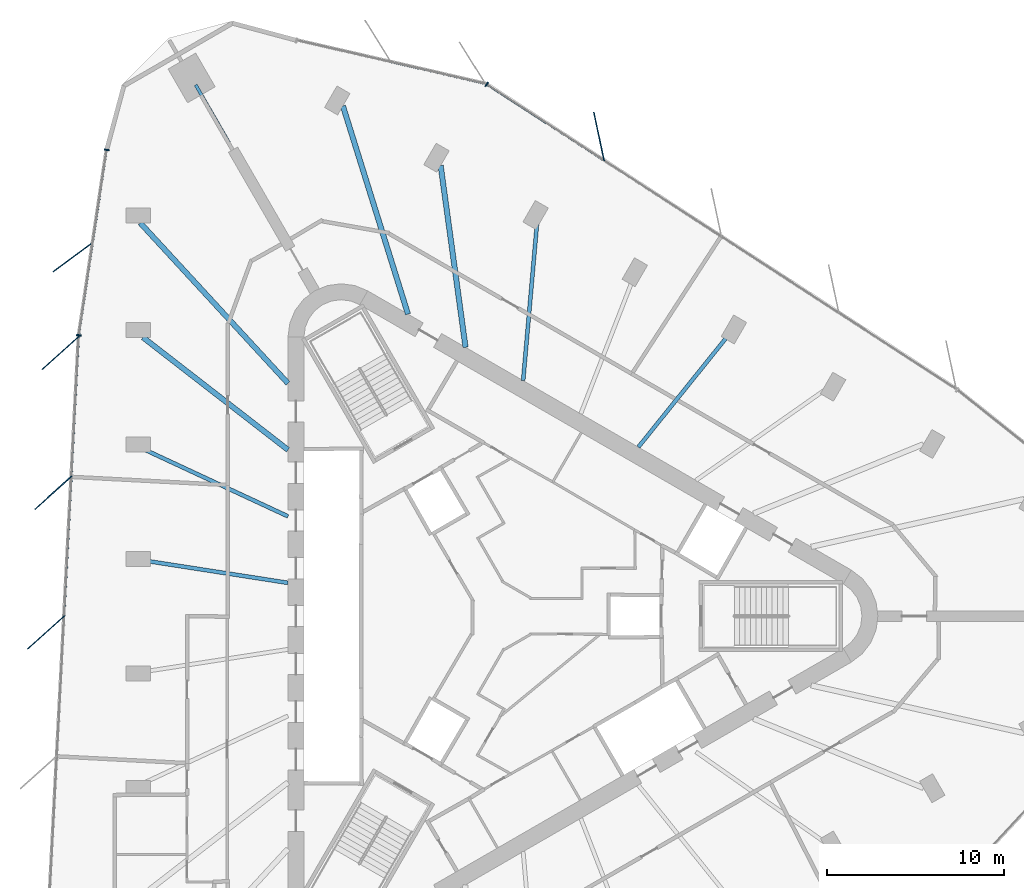
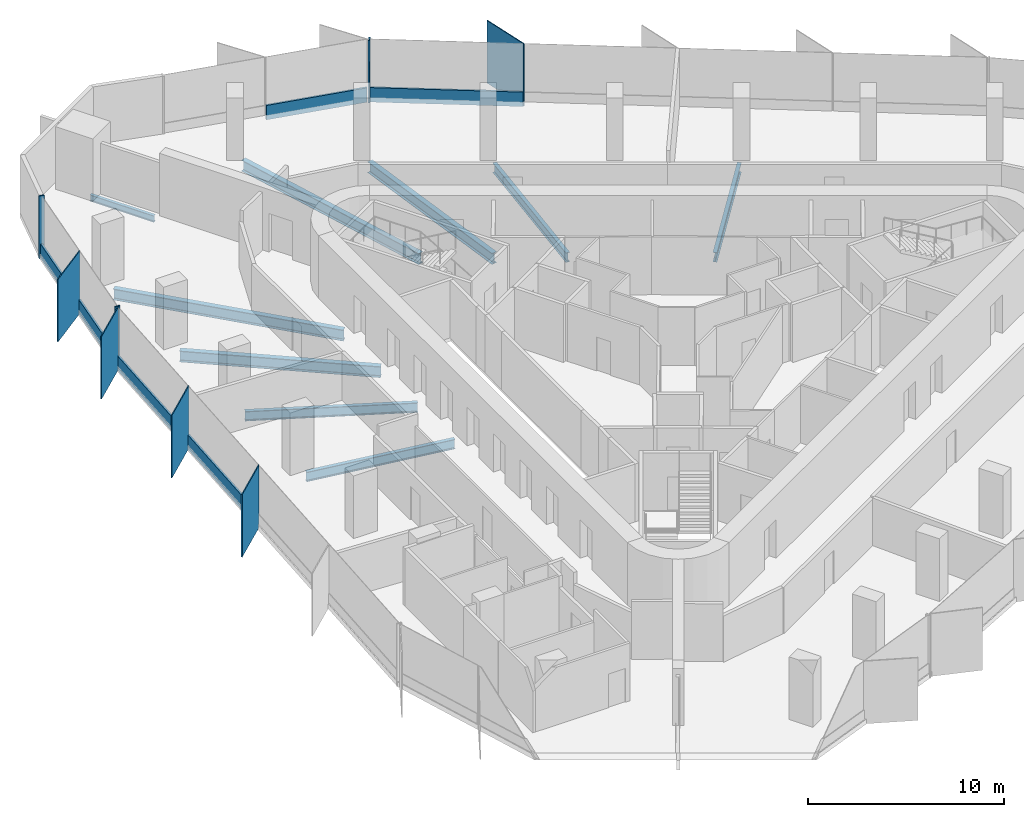
# One storey, part 4 of 13: 14 members, 9 beams, 4 elements without a shape of their own.
"""IFC4 building model written with IfcOpenShell, lengths in metres."""

from ifc_helpers import new_model, si_unit, direction, frame, origin, origin_2d, place, context, subcontext, project, spatial, rectangle, i_section, extrude, material, material_profile, profile_set, type_object, element, aggregate, save


model = new_model("IFC4")

# Units and contexts
model_context = context("Model", 3, precision=1e-05, world=origin(), true_north=direction((0.0, 1.0)))
body_context = subcontext(model_context, "Body", "Model", "MODEL_VIEW")
ifc_project = project(units=[si_unit("LENGTHUNIT", "METRE"), si_unit("AREAUNIT", "SQUARE_METRE"), si_unit("VOLUMEUNIT", "CUBIC_METRE"), si_unit("PLANEANGLEUNIT", "RADIAN"), si_unit("MASSUNIT", "GRAM", prefix="KILO")], contexts=[model_context])

# Site, building, storey
site_placement = place(None, origin())
site = spatial("IfcSite", under=ifc_project, at=site_placement, CompositionType="ELEMENT")
building_placement = place(site_placement, origin())
building = spatial("IfcBuilding", under=site, at=building_placement, Name="Tanit Gate Tower", CompositionType="ELEMENT")
storey_placement = place(building_placement, frame((0.0, 0.0, 310.39990234375)))
storey = spatial("IfcBuildingStorey", under=building, at=storey_placement, Name="L69", CompositionType="ELEMENT", Elevation=310.39990234375)

# Curtain wall, member
ifc_material_1 = material(Name="Aluminium bronze anodised and glass", Category="aluminium")
curtain_wall_type = type_object("IfcCurtainWallType", Name="Curtain wall typical high", PredefinedType="NOTDEFINED", material=ifc_material_1)
curtain_wall_1_placement = place(storey_placement, origin())
curtain_wall_1 = element("IfcCurtainWall", 1, at=curtain_wall_1_placement, inside=storey, type_object=curtain_wall_type, Name="Curtain wall L69 NE2", PredefinedType="NOTDEFINED")
ifc_material_2 = material(Name="Aluminium bronze anodised", Category="aluminium")
ifc_material_profile_1 = material_profile(ifc_material_2, rectangle(XDim=2.800048828125, YDim=0.055908203125, at=origin_2d()), Name="56x2800 bronze fin mullion")
ifc_profile_set_1 = profile_set([ifc_material_profile_1], Name="Aluminium bronze anodised")
member_type_1 = type_object("IfcMemberType", Name="FIN MULLION 56x2800 bronze", PredefinedType="MULLION", material=ifc_profile_set_1)
member_1_placement = place(storey_placement, frame((5.455078125, 27.071044921875, -0.2998046875), z_axis=(0.0, 0.0, 1.0), x_axis=(0.208237849046, -0.978078216824, 0.0)))
member_1 = element("IfcMember", 2, at=member_1_placement, type_object=member_type_1, Name="Fin mullion L69 NE2.4", PredefinedType="MULLION", context=body_context, shape_type="SweptSolid", body=[
    extrude(rectangle(XDim=2.800048828125, YDim=0.055908203125, at=origin_2d()), origin(), (0.0, 0.0, 1.0), 3.89990234375),
])

curtain_wall_2_placement = place(storey_placement, origin())
curtain_wall_2 = element("IfcCurtainWall", 3, at=curtain_wall_2_placement, inside=storey, type_object=curtain_wall_type, Name="Curtain wall L69 W1", PredefinedType="NOTDEFINED")
member_2_placement = place(storey_placement, frame((-24.231689453125, 20.26904296875, -0.2998046875), z_axis=(0.0, 0.0, 1.0), x_axis=(0.804109178705, 0.594481647086, 0.0)))
member_2 = element("IfcMember", 4, at=member_2_placement, type_object=member_type_1, Name="Fin mullion L69 W1.2", PredefinedType="MULLION", context=body_context, shape_type="SweptSolid", body=[
    extrude(rectangle(XDim=2.800048828125, YDim=0.055908203125, at=origin_2d()), origin(), (0.0, 0.0, 1.0), 3.89990234375),
])

# Curtain wall, members
curtain_wall_3_placement = place(storey_placement, origin())
curtain_wall_3 = element("IfcCurtainWall", 5, at=curtain_wall_3_placement, inside=storey, type_object=curtain_wall_type, Name="Curtain wall L69 W2", PredefinedType="NOTDEFINED")
member_3_placement = place(storey_placement, frame((-24.939453125, 14.85498046875, -0.2998046875), z_axis=(0.0, 0.0, 1.0), x_axis=(0.742921658135, 0.669378375715, 0.0)))
member_3 = element("IfcMember", 6, at=member_3_placement, type_object=member_type_1, Name="Fin mullion L69 W2.1", PredefinedType="MULLION", context=body_context, shape_type="SweptSolid", body=[
    extrude(rectangle(XDim=2.800048828125, YDim=0.055908203125, at=origin_2d()), origin(), (0.0, 0.0, 1.0), 3.89990234375),
])
member_4_placement = place(storey_placement, frame((-25.35009765625, 6.96630859375, -0.2998046875), z_axis=(0.0, 0.0, 1.0), x_axis=(0.742921658135, 0.669378375715, 0.0)))
member_4 = element("IfcMember", 7, at=member_4_placement, type_object=member_type_1, Name="Fin mullion L69 W2.2", PredefinedType="MULLION", context=body_context, shape_type="SweptSolid", body=[
    extrude(rectangle(XDim=2.800048828125, YDim=0.055908203125, at=origin_2d()), origin(), (0.0, 0.0, 1.0), 3.89990234375),
])
member_5_placement = place(storey_placement, frame((-25.760986328125, -0.92236328125, -0.2998046875), z_axis=(0.0, 0.0, 1.0), x_axis=(0.742921658135, 0.669378375715, 0.0)))
member_5 = element("IfcMember", 8, at=member_5_placement, type_object=member_type_1, Name="Fin mullion L69 W2.3", PredefinedType="MULLION", context=body_context, shape_type="SweptSolid", body=[
    extrude(rectangle(XDim=2.800048828125, YDim=0.055908203125, at=origin_2d()), origin(), (0.0, 0.0, 1.0), 3.89990234375),
])

# Member
ifc_material_3 = material(Name="Aluminium bronze anodised", Category="aluminium")
ifc_material_profile_2 = material_profile(ifc_material_3, rectangle(XDim=0.280029296875, YDim=0.080078125, at=origin_2d()), Name="80x280 bronze mullion")
ifc_profile_set_2 = profile_set([ifc_material_profile_2], Name="Aluminium bronze anodised")
member_type_2 = type_object("IfcMemberType", Name="Mullion 80x280 typical high", PredefinedType="MULLION", material=ifc_profile_set_2)
member_6_placement = place(storey_placement, frame((-0.884033203125, 30.021240234375, -0.2998046875), z_axis=(0.0, 0.0, 1.0), x_axis=(-0.544359344487, -0.838852134807, 0.0)))
member_6 = element("IfcMember", 9, at=member_6_placement, type_object=member_type_2, Name="Mullion L69 NE2.5", PredefinedType="MULLION", context=body_context, shape_type="SweptSolid", body=[
    extrude(rectangle(XDim=0.280029296875, YDim=0.080078125, at=origin_2d()), origin(), (0.0, 0.0, 1.0), 3.89990234375),
])

member_7_placement = place(storey_placement, frame((-22.337890625, 26.32080078125, -0.2998046875), z_axis=(0.0, 0.0, 1.0), x_axis=(0.988953057022, -0.148229049131, 0.0)))
member_7 = element("IfcMember", 10, at=member_7_placement, type_object=member_type_2, Name="Mullion L69 W1.1", PredefinedType="MULLION", context=body_context, shape_type="SweptSolid", body=[
    extrude(rectangle(XDim=0.280029296875, YDim=0.080078125, at=origin_2d()), origin(), (0.0, 0.0, 1.0), 3.89990234375),
])

member_8_placement = place(storey_placement, frame((-23.906005859375, 15.8583984375, -0.2998046875), z_axis=(0.0, 0.0, 1.0), x_axis=(0.988953057022, -0.148229049131, 0.0)))
member_8 = element("IfcMember", 11, at=member_8_placement, type_object=member_type_2, Name="Mullion L69 W1.3", PredefinedType="MULLION", context=body_context, shape_type="SweptSolid", body=[
    extrude(rectangle(XDim=0.280029296875, YDim=0.080078125, at=origin_2d()), origin(), (0.0, 0.0, 1.0), 3.89990234375),
])

# Beams
ifc_material_4 = material(Name="Steel S355", Category="steel")
ifc_material_profile_3 = material_profile(ifc_material_4, i_section(OverallWidth=0.300048828125, OverallDepth=0.68994140625, WebThickness=0.014404296875, FlangeThickness=0.027099609375, FilletRadius=0.027099609375, at=origin_2d()), Name="HEA 700")
ifc_profile_set_3 = profile_set([ifc_material_profile_3], Name="Steel S355")
beam_type_1 = type_object("IfcBeamType", Name="RADIAL GIRDER HEA 700 S355", PredefinedType="BEAM", material=ifc_profile_set_3)
beam_1_placement = place(storey_placement, frame((-3.48291015625, 25.436767578125, -0.64501953125), z_axis=(0.135657975489, -0.990755728566, 0.0), x_axis=(0.990755728566, 0.135657975489, 0.0)))
element("IfcBeam", 12, at=beam_1_placement, inside=storey, type_object=beam_type_1, Name="RADIAL GIRDER", PredefinedType="BEAM", context=body_context, shape_type="SweptSolid", body=[
    extrude(i_section(OverallWidth=0.300048828125, OverallDepth=0.68994140625, WebThickness=0.014404296875, FlangeThickness=0.027099609375, FilletRadius=0.027099609375, at=origin_2d()), origin(), (0.0, 0.0, 1.0), 10.35888671875),
])
beam_2_placement = place(storey_placement, frame((-9.00244140625, 28.804443359375, -0.64501953125), z_axis=(0.298298699316, -0.954472569531, 0.0), x_axis=(0.954472569531, 0.298298699316, 0.0)))
element("IfcBeam", 13, at=beam_2_placement, inside=storey, type_object=beam_type_1, Name="RADIAL GIRDER", PredefinedType="BEAM", context=body_context, shape_type="SweptSolid", body=[
    extrude(i_section(OverallWidth=0.300048828125, OverallDepth=0.68994140625, WebThickness=0.014404296875, FlangeThickness=0.027099609375, FilletRadius=0.027099609375, at=origin_2d()), origin(), (0.0, 0.0, 1.0), 12.314208984375),
])
beam_3_placement = place(storey_placement, frame((-20.444091796875, 22.198486328125, -0.64501953125), z_axis=(0.677443856772, -0.735574483599, 0.0), x_axis=(0.735574483599, 0.677443856772, 0.0)))
element("IfcBeam", 14, at=beam_3_placement, inside=storey, type_object=beam_type_1, Name="RADIAL GIRDER", PredefinedType="BEAM", context=body_context, shape_type="SweptSolid", body=[
    extrude(i_section(OverallWidth=0.300048828125, OverallDepth=0.68994140625, WebThickness=0.014404296875, FlangeThickness=0.027099609375, FilletRadius=0.027099609375, at=origin_2d()), origin(), (0.0, 0.0, 1.0), 12.31396484375),
])
beam_4_placement = place(storey_placement, frame((-20.28759765625, 15.734619140625, -0.64501953125), z_axis=(0.790189054489, -0.612863164308, 0.0), x_axis=(0.612863164308, 0.790189054489, 0.0)))
element("IfcBeam", 15, at=beam_4_placement, inside=storey, type_object=beam_type_1, Name="RADIAL GIRDER", PredefinedType="BEAM", context=body_context, shape_type="SweptSolid", body=[
    extrude(i_section(OverallWidth=0.300048828125, OverallDepth=0.68994140625, WebThickness=0.014404296875, FlangeThickness=0.027099609375, FilletRadius=0.027099609375, at=origin_2d()), origin(), (0.0, 0.0, 1.0), 10.35888671875),
])
ifc_material_5 = material(Name="Steel S355", Category="steel")
ifc_material_profile_4 = material_profile(ifc_material_5, i_section(OverallWidth=0.179931640625, OverallDepth=0.39990234375, WebThickness=0.008544921875, FlangeThickness=0.013427734375, FilletRadius=0.02099609375, at=origin_2d()), Name="IPE 400")
ifc_profile_set_4 = profile_set([ifc_material_profile_4], Name="Steel S355")
beam_type_2 = type_object("IfcBeamType", Name="RADIAL GIRDER IPE 400 S355", PredefinedType="BEAM", material=ifc_profile_set_4)
beam_5_placement = place(storey_placement, frame((-17.3154296875, 29.9912109375, -0.5), z_axis=(0.500007177232, -0.866021259968, 0.0), x_axis=(0.866021259968, 0.500007177232, 0.0)))
element("IfcBeam", 16, at=beam_5_placement, inside=storey, type_object=beam_type_2, Name="RADIAL GIRDER", PredefinedType="BEAM", context=body_context, shape_type="SweptSolid", body=[
    extrude(i_section(OverallWidth=0.179931640625, OverallDepth=0.39990234375, WebThickness=0.008544921875, FlangeThickness=0.013427734375, FilletRadius=0.02099609375, at=origin_2d()), origin(), (0.0, 0.0, 1.0), 3.7607421875),
])
ifc_material_6 = material(Name="Steel S355", Category="steel")
ifc_material_profile_5 = material_profile(ifc_material_6, i_section(OverallWidth=0.219970703125, OverallDepth=0.60009765625, WebThickness=0.011962890625, FlangeThickness=0.01904296875, FilletRadius=0.02392578125, at=origin_2d()), Name="IPE 600")
ifc_profile_set_5 = profile_set([ifc_material_profile_5], Name="Steel S355")
beam_type_3 = type_object("IfcBeamType", Name="RADIAL GIRDER IPE 600 S355", PredefinedType="BEAM", material=ifc_profile_set_5)
beam_6_placement = place(storey_placement, frame((12.772705078125, 15.876220703125, -0.599853515625), z_axis=(-0.626835145211, -0.779151911201, 0.0), x_axis=(0.779151911201, -0.626835145211, 0.0)))
element("IfcBeam", 17, at=beam_6_placement, inside=storey, type_object=beam_type_3, Name="RADIAL GIRDER", PredefinedType="BEAM", context=body_context, shape_type="SweptSolid", body=[
    extrude(i_section(OverallWidth=0.219970703125, OverallDepth=0.60009765625, WebThickness=0.011962890625, FlangeThickness=0.01904296875, FilletRadius=0.02392578125, at=origin_2d()), origin(), (0.0, 0.0, 1.0), 8.129638671875),
])
for number, where, z_axis, x_axis, name in (
    (18, (1.952880859375, 22.122802734375, -0.599853515625), (-0.087921954634, -0.996127366301, 0.0), (0.996127366301, -0.087921954634, 0.0), "RADIAL GIRDER"),
    (19, (-20.135498046875, 9.3701171875, -0.599853515625), (0.906633128224, -0.421919863015, 0.0), (0.421919863015, 0.906633128224, 0.0), "RADIAL GIRDER"),
):
    element("IfcBeam", number, at=place(storey_placement, frame(where, z_axis=z_axis, x_axis=x_axis)), inside=storey, type_object=beam_type_3, Name=name, PredefinedType="BEAM", context=body_context, shape_type="SweptSolid", body=[
        extrude(i_section(OverallWidth=0.219970703125, OverallDepth=0.60009765625, WebThickness=0.011962890625, FlangeThickness=0.01904296875, FilletRadius=0.02392578125, at=origin_2d()), origin(), (0.0, 0.0, 1.0), 8.86083984375),
    ])
beam_7_placement = place(storey_placement, frame((-20.135498046875, 3.123291015625, -0.599853515625), z_axis=(0.988182767287, -0.153280195844, 0.0), x_axis=(0.153280195844, 0.988182767287, 0.0)))
element("IfcBeam", 20, at=beam_7_placement, inside=storey, type_object=beam_type_3, Name="RADIAL GIRDER", PredefinedType="BEAM", context=body_context, shape_type="SweptSolid", body=[
    extrude(i_section(OverallWidth=0.219970703125, OverallDepth=0.60009765625, WebThickness=0.011962890625, FlangeThickness=0.01904296875, FilletRadius=0.02392578125, at=origin_2d()), origin(), (0.0, 0.0, 1.0), 8.12939453125),
])

# Member
ifc_material_7 = material(Name="Aluminium bronze anodised", Category="aluminium")
ifc_material_profile_6 = material_profile(ifc_material_7, rectangle(XDim=0.1201171875, YDim=0.89990234375, at=origin_2d()), Name="120x900 bronze transom")
ifc_profile_set_6 = profile_set([ifc_material_profile_6], Name="Aluminium bronze anodised")
member_type_3 = type_object("IfcMemberType", Name="Transom 120x900 typical high", PredefinedType="USERDEFINED", material=ifc_profile_set_6)
member_9_placement = place(storey_placement, frame((5.708984375, 25.742919921875, 0.150146484375), z_axis=(-0.838850699272, 0.544361556624, 0.0), x_axis=(-0.544361556624, -0.838850699272, 0.0)))
member_9 = element("IfcMember", 21, at=member_9_placement, type_object=member_type_3, Name="Transom L69 NE2.4", ObjectType="TRANSOM", PredefinedType="USERDEFINED", context=body_context, shape_type="SweptSolid", body=[
    extrude(rectangle(XDim=0.1201171875, YDim=0.89990234375, at=origin_2d()), origin(), (0.0, 0.0, 1.0), 7.8193359375),
])

aggregate(curtain_wall_1, [member_1, member_6, member_9])

# Curtain wall, member
curtain_wall_4_placement = place(storey_placement, origin())
curtain_wall_4 = element("IfcCurtainWall", 22, at=curtain_wall_4_placement, inside=storey, type_object=curtain_wall_type, Name="Curtain wall L69 NE3", PredefinedType="NOTDEFINED")
member_10_placement = place(storey_placement, frame((-0.995361328125, 30.06103515625, 0.150146484375), z_axis=(-0.974449190719, 0.224608046843, 0.0), x_axis=(-0.224608046843, -0.974449190719, 0.0)))
member_10 = element("IfcMember", 23, at=member_10_placement, type_object=member_type_3, Name="Transom L69 NE3.1", ObjectType="TRANSOM", PredefinedType="USERDEFINED", context=body_context, shape_type="SweptSolid", body=[
    extrude(rectangle(XDim=0.1201171875, YDim=0.89990234375, at=origin_2d()), origin(), (0.0, 0.0, 1.0), 5.38916015625),
])
aggregate(curtain_wall_4, [member_10])

# Member
member_11_placement = place(storey_placement, frame((-22.34375, 26.28125, 0.150146484375), z_axis=(-0.148228163726, -0.988953189731, 0.0), x_axis=(0.988953189731, -0.148228163726, 0.0)))
member_11 = element("IfcMember", 24, at=member_11_placement, type_object=member_type_3, Name="Transom L69 W1.1", ObjectType="TRANSOM", PredefinedType="USERDEFINED", context=body_context, shape_type="SweptSolid", body=[
    extrude(rectangle(XDim=0.1201171875, YDim=0.89990234375, at=origin_2d()), origin(), (0.0, 0.0, 1.0), 5.209716796875),
])

member_12_placement = place(storey_placement, frame((-23.1279296875, 21.050048828125, 0.150146484375), z_axis=(-0.148228163726, -0.988953189731, 0.0), x_axis=(0.988953189731, -0.148228163726, 0.0)))
member_12 = element("IfcMember", 25, at=member_12_placement, type_object=member_type_3, Name="Transom L69 W1.2", ObjectType="TRANSOM", PredefinedType="USERDEFINED", context=body_context, shape_type="SweptSolid", body=[
    extrude(rectangle(XDim=0.1201171875, YDim=0.89990234375, at=origin_2d()), origin(), (0.0, 0.0, 1.0), 5.209716796875),
])

aggregate(curtain_wall_2, [member_7, member_2, member_8, member_11, member_12])

member_13_placement = place(storey_placement, frame((-23.916015625, 15.739013671875, 0.150146484375), z_axis=(-0.05201640207, -0.998646230612, 0.0), x_axis=(0.998646230612, -0.05201640207, 0.0)))
member_13 = element("IfcMember", 26, at=member_13_placement, type_object=member_type_3, Name="Transom L69 W2.1", ObjectType="TRANSOM", PredefinedType="USERDEFINED", context=body_context, shape_type="SweptSolid", body=[
    extrude(rectangle(XDim=0.1201171875, YDim=0.89990234375, at=origin_2d()), origin(), (0.0, 0.0, 1.0), 7.8193359375),
])

member_14_placement = place(storey_placement, frame((-24.326904296875, 7.85009765625, 0.150146484375), z_axis=(-0.051985264142, -0.998647852004, 0.0), x_axis=(0.998647852004, -0.051985264142, 0.0)))
member_14 = element("IfcMember", 27, at=member_14_placement, type_object=member_type_3, Name="Transom L69 W2.2", ObjectType="TRANSOM", PredefinedType="USERDEFINED", context=body_context, shape_type="SweptSolid", body=[
    extrude(rectangle(XDim=0.1201171875, YDim=0.89990234375, at=origin_2d()), origin(), (0.0, 0.0, 1.0), 7.8193359375),
])

aggregate(curtain_wall_3, [member_3, member_4, member_5, member_13, member_14])

save(model, "model.ifc")
